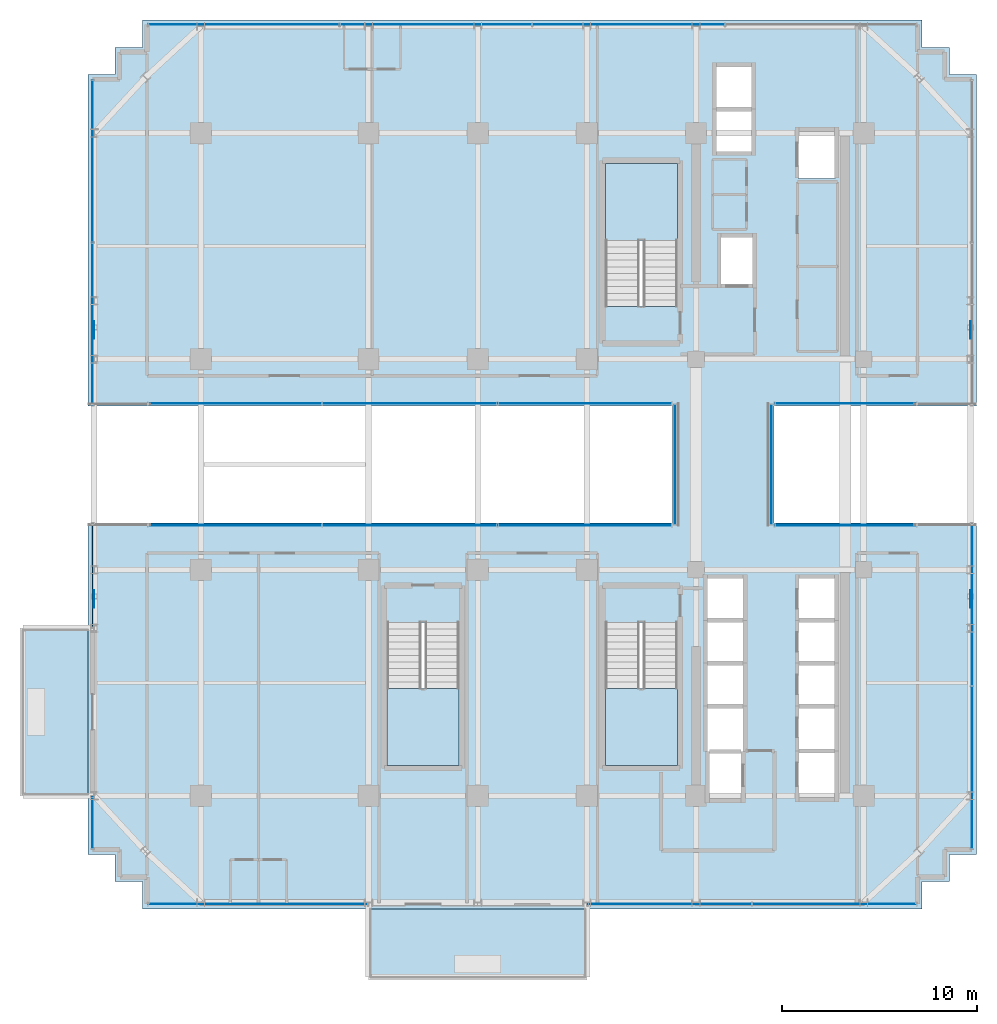
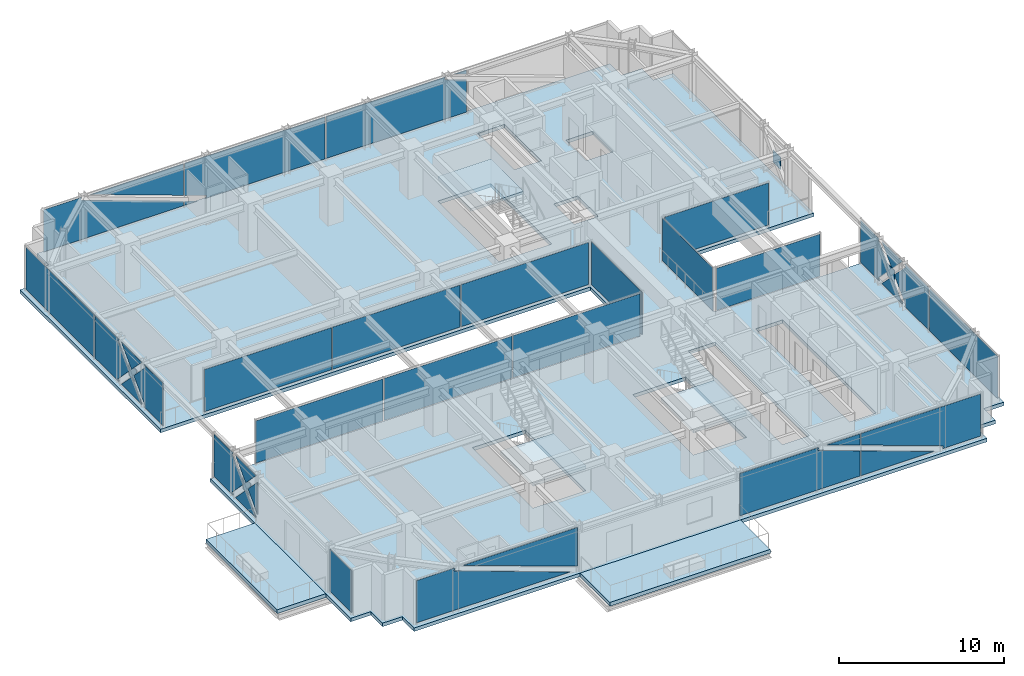
# One storey, part 27 of 35: 26 plates, 6 slabs, 16 elements without a shape of their own.
"""IFC4 building model written with IfcOpenShell, lengths in metres."""

from ifc_helpers import new_model, si_unit, direction, frame, origin, origin_2d, place, context, subcontext, project, spatial, polyline, rectangle, outline, extrude, source, transform, mapped, material, layer, layer_set, type_object, element, aggregate, save


model = new_model("IFC4")

# Units and contexts
model_context = context("Model", 3, precision=1e-05, world=origin(), true_north=direction((0.0, 1.0)))
body_context = subcontext(model_context, "Body", "Model", "MODEL_VIEW")
ifc_project = project(units=[si_unit("LENGTHUNIT", "METRE"), si_unit("AREAUNIT", "SQUARE_METRE"), si_unit("VOLUMEUNIT", "CUBIC_METRE"), si_unit("PLANEANGLEUNIT", "RADIAN"), si_unit("MASSUNIT", "GRAM", prefix="KILO")], contexts=[model_context])

# Site, building, storey
site_placement = place(None, origin())
site = spatial("IfcSite", under=ifc_project, at=site_placement, CompositionType="ELEMENT")
building_placement = place(site_placement, origin())
building = spatial("IfcBuilding", under=site, at=building_placement, Name="Nahalor Promenade Grand Hotel", CompositionType="ELEMENT")
storey_placement = place(building_placement, frame((0.0, 0.0, 185.5)))
storey = spatial("IfcBuildingStorey", under=building, at=storey_placement, Name="L47", CompositionType="ELEMENT", Elevation=185.5)

# Curtain wall, plate
ifc_material_1 = material(Name="Anodised Bronze Aluminium EN AW-6063 T6", Category="aluminium")
curtain_wall_type_1 = type_object("IfcCurtainWallType", Name="CW3 Elliptical-Void Collar Unitised Curtain Wall", PredefinedType="USERDEFINED", material=ifc_material_1)
curtain_wall_1_placement = place(storey_placement, origin())
curtain_wall_1 = element("IfcCurtainWall", 1, at=curtain_wall_1_placement, inside=storey, type_object=curtain_wall_type_1, Name="L47 Curtain Wall CW-L47-S-1", ObjectType="UNITISED_CURTAIN_WALL", PredefinedType="USERDEFINED")
ifc_material_2 = material(Name="Low-E Laminated Solar Glass", Category="glass")
ifc_layer_1 = layer(ifc_material_2, 0.030029296875)
ifc_layer_set_1 = layer_set([ifc_layer_1], Name="Low-E Laminated Solar Glass")
plate_type_1 = type_object("IfcPlateType", Name="CWP3 High-Wind Laminated Bronze IGU 30mm", PredefinedType="CURTAIN_PANEL", material=ifc_layer_set_1)
plate_1_placement = place(storey_placement, frame((-14.080078125, -22.56005859375, 0.14013671875), z_axis=(0.0, 0.0, 1.0), x_axis=(1.0, 0.0, 0.0)))
plate_1 = element("IfcPlate", 2, at=plate_1_placement, type_object=plate_type_1, Name="CW-L47-S-1 Glazing Panel 0-0", PredefinedType="CURTAIN_PANEL", context=body_context, shape_type="SweptSolid", body=[
    extrude(outline(polyline([(-5.610107421875, 3.110107421875), (-5.610107421875, 0.0), (5.116455078125, 0.0), (-3.01123046875, 2.920166015625), (-2.94287109375, 3.110107421875), (-5.610107421875, 3.110107421875)])), frame((0.0, 0.01513671875, 0.0), z_axis=(0.0, -1.0, 0.0), x_axis=(1.0, 0.0, 0.0)), (0.0, 0.0, 1.0), 0.030029296875),
    extrude(outline(polyline([(5.610107421875, 0.24755859375), (5.610107421875, 3.110107421875), (-2.3564453125, 3.110107421875), (5.610107421875, 0.24755859375)])), frame((0.0, 0.01513671875, 0.0), z_axis=(0.0, -1.0, 0.0), x_axis=(1.0, 0.0, 0.0)), (0.0, 0.0, 1.0), 0.030029296875),
])
aggregate(curtain_wall_1, [plate_1])

# Curtain wall, plates
curtain_wall_2_placement = place(storey_placement, origin())
curtain_wall_2 = element("IfcCurtainWall", 3, at=curtain_wall_2_placement, inside=storey, type_object=curtain_wall_type_1, Name="L47 Curtain Wall CW-L47-S-3", ObjectType="UNITISED_CURTAIN_WALL", PredefinedType="USERDEFINED")
plate_2_placement = place(storey_placement, frame((7.0576171875, -22.56005859375, 0.14013671875), z_axis=(0.0, 0.0, 1.0), x_axis=(1.0, 0.0, 0.0)))
plate_2 = element("IfcPlate", 4, at=plate_2_placement, type_object=plate_type_1, Name="CW-L47-S-3 Glazing Panel 0-0", PredefinedType="CURTAIN_PANEL", context=body_context, shape_type="SweptSolid", body=[
    extrude(outline(polyline([(-4.1875, 0.0), (4.1875, 0.0), (4.1875, 1.865234375), (1.25146484375, 2.920166015625), (1.319580078125, 3.110107421875), (-4.1875, 3.110107421875), (-4.1875, 0.0)])), frame((0.0, 0.01513671875, 0.0), z_axis=(0.0, -1.0, 0.0), x_axis=(1.0, 0.0, 0.0)), (0.0, 0.0, 1.0), 0.030029296875),
    extrude(outline(polyline([(4.1875, 2.290283203125), (4.1875, 3.110107421875), (1.90625, 3.110107421875), (4.1875, 2.290283203125)])), frame((0.0, 0.01513671875, 0.0), z_axis=(0.0, -1.0, 0.0), x_axis=(1.0, 0.0, 0.0)), (0.0, 0.0, 1.0), 0.030029296875),
])
plate_3_placement = place(storey_placement, frame((15.50244140625, -22.56005859375, 0.14013671875), z_axis=(0.0, 0.0, 1.0), x_axis=(1.0, 0.0, 0.0)))
plate_3 = element("IfcPlate", 5, at=plate_3_placement, type_object=plate_type_1, Name="CW-L47-S-3 Glazing Panel 1-0", PredefinedType="CURTAIN_PANEL", context=body_context, shape_type="SweptSolid", body=[
    extrude(outline(polyline([(4.1875, 3.110107421875), (-4.1875, 3.110107421875), (-4.1875, 2.26513671875), (1.588623046875, 0.189697265625), (1.5205078125, 0.0), (4.1875, 0.0), (4.1875, 3.110107421875)])), frame((0.0, 0.01513671875, 0.0), z_axis=(0.0, -1.0, 0.0), x_axis=(1.0, 0.0, 0.0)), (0.0, 0.0, 1.0), 0.030029296875),
    extrude(outline(polyline([(-4.1875, 1.840087890625), (-4.1875, 0.0), (0.933837890625, 0.0), (-4.1875, 1.840087890625)])), frame((0.0, 0.01513671875, 0.0), z_axis=(0.0, -1.0, 0.0), x_axis=(1.0, 0.0, 0.0)), (0.0, 0.0, 1.0), 0.030029296875),
])
aggregate(curtain_wall_2, [plate_2, plate_3])

curtain_wall_3_placement = place(storey_placement, origin())
curtain_wall_3 = element("IfcCurtainWall", 6, at=curtain_wall_3_placement, inside=storey, type_object=curtain_wall_type_1, Name="L47 Curtain Wall CW-L47-N-1", ObjectType="UNITISED_CURTAIN_WALL", PredefinedType="USERDEFINED")
plate_4_placement = place(storey_placement, frame((-14.802490234375, 22.56005859375, 0.14013671875), z_axis=(0.0, 0.0, 1.0), x_axis=(1.0, 0.0, 0.0)))
plate_4 = element("IfcPlate", 7, at=plate_4_placement, type_object=plate_type_1, Name="CW-L47-N-1 Glazing Panel 0-0", PredefinedType="CURTAIN_PANEL", context=body_context, shape_type="SweptSolid", body=[
    extrude(outline(polyline([(-4.887451171875, 0.0), (4.887451171875, 0.0), (4.887451171875, 0.341796875), (-2.28857421875, 2.920166015625), (-2.220458984375, 3.110107421875), (-4.887451171875, 3.110107421875), (-4.887451171875, 0.0)])), frame((0.0, 0.01513671875, 0.0), z_axis=(0.0, -1.0, 0.0), x_axis=(1.0, 0.0, 0.0)), (0.0, 0.0, 1.0), 0.030029296875),
    extrude(outline(polyline([(4.887451171875, 0.766845703125), (4.887451171875, 3.110107421875), (-1.6337890625, 3.110107421875), (4.887451171875, 0.766845703125)])), frame((0.0, 0.01513671875, 0.0), z_axis=(0.0, -1.0, 0.0), x_axis=(1.0, 0.0, 0.0)), (0.0, 0.0, 1.0), 0.030029296875),
])
plate_5_placement = place(storey_placement, frame((-4.93994140625, 22.56005859375, 0.14013671875), z_axis=(0.0, 0.0, 1.0), x_axis=(1.0, 0.0, 0.0)))
plate_5 = element("IfcPlate", 8, at=plate_5_placement, type_object=plate_type_1, Name="CW-L47-N-1 Glazing Panel 1-0", PredefinedType="CURTAIN_PANEL", context=body_context, shape_type="SweptSolid", body=[
    extrude(outline(polyline([(4.905029296875, 3.110107421875), (-4.905029296875, 3.110107421875), (-4.905029296875, 0.74169921875), (-3.368896484375, 0.189697265625), (-3.43701171875, 0.0), (4.905029296875, 0.0), (4.905029296875, 3.110107421875)])), frame((0.0, 0.01513671875, 0.0), z_axis=(0.0, -1.0, 0.0), x_axis=(1.0, 0.0, 0.0)), (0.0, 0.0, 1.0), 0.030029296875),
    extrude(outline(polyline([(-4.905029296875, 0.316650390625), (-4.905029296875, 0.0), (-4.023681640625, 0.0), (-4.905029296875, 0.316650390625)])), frame((0.0, 0.01513671875, 0.0), z_axis=(0.0, -1.0, 0.0), x_axis=(1.0, 0.0, 0.0)), (0.0, 0.0, 1.0), 0.030029296875),
])
plate_6_placement = place(storey_placement, frame((4.93994140625, 22.56005859375, 0.14013671875), z_axis=(0.0, 0.0, 1.0), x_axis=(1.0, 0.0, 0.0)))
plate_6 = element("IfcPlate", 9, at=plate_6_placement, type_object=plate_type_1, Name="CW-L47-N-1 Glazing Panel 2-0", PredefinedType="CURTAIN_PANEL", context=body_context, shape_type="SweptSolid", body=[
    extrude(outline(polyline([(-4.905029296875, 0.0), (4.905029296875, 0.0), (4.905029296875, 2.368408203125), (3.368896484375, 2.920166015625), (3.43701171875, 3.110107421875), (-4.905029296875, 3.110107421875), (-4.905029296875, 0.0)])), frame((0.0, 0.01513671875, 0.0), z_axis=(0.0, -1.0, 0.0), x_axis=(1.0, 0.0, 0.0)), (0.0, 0.0, 1.0), 0.030029296875),
    extrude(outline(polyline([(4.905029296875, 2.793212890625), (4.905029296875, 3.110107421875), (4.023681640625, 3.110107421875), (4.905029296875, 2.793212890625)])), frame((0.0, 0.01513671875, 0.0), z_axis=(0.0, -1.0, 0.0), x_axis=(1.0, 0.0, 0.0)), (0.0, 0.0, 1.0), 0.030029296875),
])
aggregate(curtain_wall_3, [plate_4, plate_5, plate_6])

# Curtain wall, plate
curtain_wall_4_placement = place(storey_placement, origin())
curtain_wall_4 = element("IfcCurtainWall", 10, at=curtain_wall_4_placement, inside=storey, type_object=curtain_wall_type_1, Name="L47 Curtain Wall CW-L47-W-3", ObjectType="UNITISED_CURTAIN_WALL", PredefinedType="USERDEFINED")
plate_7_placement = place(storey_placement, frame((-22.56005859375, -5.699462890625, 0.14013671875), z_axis=(0.0, 0.0, 1.0), x_axis=(0.0, 1.0, 0.0)))
plate_7 = element("IfcPlate", 11, at=plate_7_placement, type_object=plate_type_1, Name="CW-L47-W-3 Glazing Panel 0-0", PredefinedType="CURTAIN_PANEL", context=body_context, shape_type="SweptSolid", body=[
    extrude(outline(polyline([(-1.479248046875, 1.554931640625), (-2.630615234375, 2.74072265625), (-2.630615234375, 0.369140625), (-1.479248046875, 1.554931640625)])), frame((0.0, 0.01513671875, 0.0), z_axis=(0.0, -1.0, 0.0), x_axis=(1.0, 0.0, 0.0)), (0.0, 0.0, 1.0), 0.030029296875),
    extrude(outline(polyline([(-1.200439453125, 1.267822265625), (-2.431396484375, 0.0), (0.030517578125, 0.0), (-1.200439453125, 1.267822265625)])), frame((0.0, 0.01513671875, 0.0), z_axis=(0.0, -1.0, 0.0), x_axis=(1.0, 0.0, 0.0)), (0.0, 0.0, 1.0), 0.030029296875),
    extrude(outline(polyline([(-1.200439453125, 1.842041015625), (0.030517578125, 3.110107421875), (-2.431396484375, 3.110107421875), (-1.200439453125, 1.842041015625)])), frame((0.0, 0.01513671875, 0.0), z_axis=(0.0, -1.0, 0.0), x_axis=(1.0, 0.0, 0.0)), (0.0, 0.0, 1.0), 0.030029296875),
    extrude(outline(polyline([(2.630615234375, 0.0), (2.630615234375, 3.110107421875), (0.3251953125, 3.110107421875), (0.46044921875, 2.978515625), (-0.921630859375, 1.554931640625), (0.46044921875, 0.13134765625), (0.3251953125, 0.0), (2.630615234375, 0.0)])), frame((0.0, 0.01513671875, 0.0), z_axis=(0.0, -1.0, 0.0), x_axis=(1.0, 0.0, 0.0)), (0.0, 0.0, 1.0), 0.030029296875),
])
aggregate(curtain_wall_4, [plate_7])

curtain_wall_5_placement = place(storey_placement, origin())
curtain_wall_5 = element("IfcCurtainWall", 12, at=curtain_wall_5_placement, inside=storey, type_object=curtain_wall_type_1, Name="L47 Curtain Wall CW-L47-W-4", ObjectType="UNITISED_CURTAIN_WALL", PredefinedType="USERDEFINED")
plate_8_placement = place(storey_placement, frame((-22.56005859375, 7.206787109375, 0.14013671875), z_axis=(0.0, 0.0, 1.0), x_axis=(0.0, 1.0, 0.0)))
plate_8 = element("IfcPlate", 13, at=plate_8_placement, type_object=plate_type_1, Name="CW-L47-W-4 Glazing Panel 0-0", PredefinedType="CURTAIN_PANEL", context=body_context, shape_type="SweptSolid", body=[
    extrude(outline(polyline([(-4.1376953125, 3.110107421875), (-4.1376953125, 0.0), (-1.832275390625, 0.0), (-1.9677734375, 0.13134765625), (-0.58544921875, 1.554931640625), (-1.9677734375, 2.978515625), (-1.832275390625, 3.110107421875), (-4.1376953125, 3.110107421875)])), frame((0.0, 0.01513671875, 0.0), z_axis=(0.0, -1.0, 0.0), x_axis=(1.0, 0.0, 0.0)), (0.0, 0.0, 1.0), 0.030029296875),
    extrude(outline(polyline([(-0.306640625, 1.267822265625), (-1.53759765625, 0.0), (0.92431640625, 0.0), (-0.306640625, 1.267822265625)])), frame((0.0, 0.01513671875, 0.0), z_axis=(0.0, -1.0, 0.0), x_axis=(1.0, 0.0, 0.0)), (0.0, 0.0, 1.0), 0.030029296875),
    extrude(outline(polyline([(-0.306640625, 1.842041015625), (0.92431640625, 3.110107421875), (-1.53759765625, 3.110107421875), (-0.306640625, 1.842041015625)])), frame((0.0, 0.01513671875, 0.0), z_axis=(0.0, -1.0, 0.0), x_axis=(1.0, 0.0, 0.0)), (0.0, 0.0, 1.0), 0.030029296875),
    extrude(outline(polyline([(4.1376953125, 0.0), (4.1376953125, 3.110107421875), (1.21875, 3.110107421875), (1.354248046875, 2.978515625), (-0.028076171875, 1.554931640625), (1.354248046875, 0.13134765625), (1.21875, 0.0), (4.1376953125, 0.0)])), frame((0.0, 0.01513671875, 0.0), z_axis=(0.0, -1.0, 0.0), x_axis=(1.0, 0.0, 0.0)), (0.0, 0.0, 1.0), 0.030029296875),
])

curtain_wall_6_placement = place(storey_placement, origin())
curtain_wall_6 = element("IfcCurtainWall", 14, at=curtain_wall_6_placement, inside=storey, type_object=curtain_wall_type_1, Name="L47 Curtain Wall CW-L47-E-1", ObjectType="UNITISED_CURTAIN_WALL", PredefinedType="USERDEFINED")
plate_9_placement = place(storey_placement, frame((22.56005859375, -7.206787109375, 0.14013671875), z_axis=(0.0, 0.0, 1.0), x_axis=(0.0, 1.0, 0.0)))
plate_9 = element("IfcPlate", 15, at=plate_9_placement, type_object=plate_type_1, Name="CW-L47-E-1 Glazing Panel 1-0", PredefinedType="CURTAIN_PANEL", context=body_context, shape_type="SweptSolid", body=[
    extrude(outline(polyline([(-4.1376953125, 3.110107421875), (-4.1376953125, 0.0), (-1.21875, 0.0), (-1.354248046875, 0.13134765625), (0.028076171875, 1.554931640625), (-1.354248046875, 2.978515625), (-1.21875, 3.110107421875), (-4.1376953125, 3.110107421875)])), frame((0.0, 0.01513671875, 0.0), z_axis=(0.0, -1.0, 0.0), x_axis=(1.0, 0.0, 0.0)), (0.0, 0.0, 1.0), 0.030029296875),
    extrude(outline(polyline([(0.306640625, 1.267822265625), (-0.92431640625, 0.0), (1.53759765625, 0.0), (0.306640625, 1.267822265625)])), frame((0.0, 0.01513671875, 0.0), z_axis=(0.0, -1.0, 0.0), x_axis=(1.0, 0.0, 0.0)), (0.0, 0.0, 1.0), 0.030029296875),
    extrude(outline(polyline([(0.306640625, 1.842041015625), (1.53759765625, 3.110107421875), (-0.92431640625, 3.110107421875), (0.306640625, 1.842041015625)])), frame((0.0, 0.01513671875, 0.0), z_axis=(0.0, -1.0, 0.0), x_axis=(1.0, 0.0, 0.0)), (0.0, 0.0, 1.0), 0.030029296875),
    extrude(outline(polyline([(4.1376953125, 0.0), (4.1376953125, 3.110107421875), (1.832275390625, 3.110107421875), (1.9677734375, 2.978515625), (0.58544921875, 1.554931640625), (1.9677734375, 0.13134765625), (1.832275390625, 0.0), (4.1376953125, 0.0)])), frame((0.0, 0.01513671875, 0.0), z_axis=(0.0, -1.0, 0.0), x_axis=(1.0, 0.0, 0.0)), (0.0, 0.0, 1.0), 0.030029296875),
])

# Stair, slab
ifc_material_3 = material(Name="Concrete B-50 (C40/50)", Category="concrete")
stair_type_1 = type_object("IfcStairType", Name="Stair-ST1", PredefinedType="HALF_TURN_STAIR", material=ifc_material_3)
stair_1_placement = place(storey_placement, origin())
stair_1 = element("IfcStair", 16, at=stair_1_placement, inside=storey, type_object=stair_type_1, Name="L47 ST1", PredefinedType="HALF_TURN_STAIR")
ifc_layer_2 = layer(ifc_material_3, 0.199951171875)
ifc_layer_set_2 = layer_set([ifc_layer_2], Name="Concrete B-50 (C40/50)")
slab_type_1 = type_object("IfcSlabType", Name="Landing-ST1", PredefinedType="LANDING", material=ifc_layer_set_2)
slab_1_placement = place(storey_placement, frame((0.0, 0.0, 1.625)))
slab_1 = element("IfcSlab", 17, at=slab_1_placement, type_object=slab_type_1, Name="ST1 landing 1", PredefinedType="LANDING", context=body_context, shape_type="SweptSolid", body=[
    extrude(outline(polyline([(7.449951171875, 11.5), (7.449951171875, 15.449951171875), (3.75, 15.449951171875), (3.75, 11.5), (7.449951171875, 11.5)])), origin(), (0.0, 0.0, 1.0), 0.199951171875),
])
aggregate(stair_1, [slab_1])

stair_type_2 = type_object("IfcStairType", Name="Stair-ST2", PredefinedType="HALF_TURN_STAIR", material=ifc_material_3)
stair_2_placement = place(storey_placement, origin())
stair_2 = element("IfcStair", 18, at=stair_2_placement, inside=storey, type_object=stair_type_2, Name="L47 ST2", PredefinedType="HALF_TURN_STAIR")
ifc_layer_3 = layer(ifc_material_3, 0.2099609375)
ifc_layer_set_3 = layer_set([ifc_layer_3], Name="Concrete B-50 (C40/50)")
slab_type_2 = type_object("IfcSlabType", Name="Landing-ST2", PredefinedType="LANDING", material=ifc_layer_set_3)
slab_2_placement = place(storey_placement, frame((0.0, 0.0, 1.614990234375)))
slab_2 = element("IfcSlab", 19, at=slab_2_placement, type_object=slab_type_2, Name="ST2 landing 1", PredefinedType="LANDING", context=body_context, shape_type="SweptSolid", body=[
    extrude(outline(polyline([(3.75, -11.5), (3.75, -15.449951171875), (7.449951171875, -15.449951171875), (7.449951171875, -11.5), (3.75, -11.5)])), origin(), (0.0, 0.0, 1.0), 0.2099609375),
])
aggregate(stair_2, [slab_2])

stair_type_3 = type_object("IfcStairType", Name="Stair-ST3", PredefinedType="HALF_TURN_STAIR", material=ifc_material_3)
stair_3_placement = place(storey_placement, origin())
stair_3 = element("IfcStair", 20, at=stair_3_placement, inside=storey, type_object=stair_type_3, Name="L47 ST3", PredefinedType="HALF_TURN_STAIR")
ifc_layer_4 = layer(ifc_material_3, 0.219970703125)
ifc_layer_set_4 = layer_set([ifc_layer_4], Name="Concrete B-50 (C40/50)")
slab_type_3 = type_object("IfcSlabType", Name="Landing-ST3", PredefinedType="LANDING", material=ifc_layer_set_4)
slab_3_placement = place(storey_placement, frame((0.0, 0.0, 1.60498046875)))
slab_3 = element("IfcSlab", 21, at=slab_3_placement, type_object=slab_type_3, Name="ST3 landing 1", PredefinedType="LANDING", context=body_context, shape_type="SweptSolid", body=[
    extrude(outline(polyline([(-7.449951171875, -11.5), (-7.449951171875, -15.449951171875), (-3.75, -15.449951171875), (-3.75, -11.5), (-7.449951171875, -11.5)])), origin(), (0.0, 0.0, 1.0), 0.219970703125),
])
aggregate(stair_3, [slab_3])

# Slabs
ifc_layer_5 = layer(ifc_material_3, 0.280029296875)
ifc_layer_set_5 = layer_set([ifc_layer_5], Name="Concrete B-50 (C40/50)")
slab_type_4 = type_object("IfcSlabType", Name="Slab-Balcony-280", PredefinedType="FLOOR", material=ifc_layer_set_5)
slab_4_placement = place(storey_placement, frame((0.0, 0.0, -0.280029296875)))
element("IfcSlab", 22, at=slab_4_placement, inside=storey, type_object=slab_type_4, Name="L47 Cantilevered Planted Balcony 1", PredefinedType="FLOOR", context=body_context, shape_type="SweptSolid", body=[
    extrude(outline(polyline([(-8.39990234375, -26.3798828125), (2.800048828125, -26.3798828125), (2.800048828125, -22.800048828125), (-8.39990234375, -22.800048828125), (-8.39990234375, -26.3798828125)])), origin(), (0.0, 0.0, 1.0), 0.280029296875),
])
slab_5_placement = place(storey_placement, frame((0.0, 0.0, -0.280029296875)))
element("IfcSlab", 23, at=slab_5_placement, inside=storey, type_object=slab_type_4, Name="L47 Cantilevered Planted Balcony 2", PredefinedType="FLOOR", context=body_context, shape_type="SweptSolid", body=[
    extrude(outline(polyline([(-26.2099609375, -17.0), (-22.800048828125, -17.0), (-22.800048828125, -8.39990234375), (-26.2099609375, -8.39990234375), (-26.2099609375, -17.0)])), origin(), (0.0, 0.0, 1.0), 0.280029296875),
])
ifc_layer_6 = layer(ifc_material_3, 0.260009765625)
ifc_layer_set_6 = layer_set([ifc_layer_6], Name="Concrete B-50 (C40/50)")
slab_type_5 = type_object("IfcSlabType", Name="Slab-TowerZ3-260", PredefinedType="FLOOR", material=ifc_layer_set_6)
slab_6_placement = place(storey_placement, frame((0.0, 0.0, -0.260009765625)))
element("IfcSlab", 24, at=slab_6_placement, inside=storey, type_object=slab_type_5, Name="L47 Suspended Structural Floor Slab", PredefinedType="FLOOR", context=body_context, shape_type="SweptSolid", body=[
    extrude(outline(polyline([(-20.0, -22.800048828125), (20.0, -22.800048828125), (20.0, -21.39990234375), (21.39990234375, -21.39990234375), (21.39990234375, -20.0), (22.800048828125, -20.0), (22.800048828125, -2.9990234375), (12.39990234375, -2.9990234375), (12.39990234375, 2.9990234375), (22.800048828125, 2.9990234375), (22.800048828125, 20.0), (21.39990234375, 20.0), (21.39990234375, 21.39990234375), (20.0, 21.39990234375), (20.0, 22.800048828125), (-20.0, 22.800048828125), (-20.0, 21.39990234375), (-21.39990234375, 21.39990234375), (-21.39990234375, 20.0), (-22.800048828125, 20.0), (-22.800048828125, 2.9990234375), (7.199951171875, 2.9990234375), (7.199951171875, -2.9990234375), (-22.800048828125, -2.9990234375), (-22.800048828125, -20.0), (-21.39990234375, -20.0), (-21.39990234375, -21.39990234375), (-20.0, -21.39990234375), (-20.0, -22.800048828125)]), holes=[polyline([(3.75, 8.10009765625), (7.449951171875, 8.10009765625), (7.449951171875, 15.449951171875), (3.75, 15.449951171875), (3.75, 8.10009765625)]), polyline([(3.75, -15.449951171875), (7.449951171875, -15.449951171875), (7.449951171875, -8.10009765625), (3.75, -8.10009765625), (3.75, -15.449951171875)]), polyline([(-7.449951171875, -15.449951171875), (-3.75, -15.449951171875), (-3.75, -8.10009765625), (-7.449951171875, -8.10009765625), (-7.449951171875, -15.449951171875)]), polyline([(13.659912109375, -17.139892578125), (15.5400390625, -17.139892578125), (15.5400390625, -5.81005859375), (13.659912109375, -5.81005859375), (13.659912109375, -17.139892578125)]), polyline([(8.9599609375, -17.18994140625), (10.840087890625, -17.18994140625), (10.840087890625, -5.81005859375), (8.9599609375, -5.81005859375), (8.9599609375, -17.18994140625)]), polyline([(9.409912109375, 16.010009765625), (11.2900390625, 16.010009765625), (11.2900390625, 20.43994140625), (9.409912109375, 20.43994140625), (9.409912109375, 16.010009765625)]), polyline([(9.659912109375, 9.2099609375), (11.340087890625, 9.2099609375), (11.340087890625, 11.68994140625), (9.659912109375, 11.68994140625), (9.659912109375, 9.2099609375)]), polyline([(13.659912109375, 14.659912109375), (15.5400390625, 14.659912109375), (15.5400390625, 17.139892578125), (13.659912109375, 17.139892578125), (13.659912109375, 14.659912109375)])]), origin(), (0.0, 0.0, 1.0), 0.260009765625),
])

# Plates
ifc_material_4 = material(Name="Steel S355J2", Category="steel")
ifc_layer_7 = layer(ifc_material_4, 0.035888671875)
ifc_layer_set_7 = layer_set([ifc_layer_7], Name="Steel S355J2")
plate_type_2 = type_object("IfcPlateType", Name="Plate-CrossGusset-36", PredefinedType="USERDEFINED", material=ifc_layer_set_7)
shared_shape_1 = source(origin(), body_context, "Body", "SweptSolid", [
    extrude(rectangle(XDim=0.89990234375, YDim=0.035888671875, at=origin_2d()), origin(), (0.0, 0.0, 1.0), 0.89990234375),
])
for number, where, z_axis, x_axis, name in (
    (25, (-22.47998046875, -6.89990234375, 1.2451171875), (0.0, 0.0, 1.0), (0.0, 1.0, 0.0), "PL-L47-VXX-W0"),
    (26, (-22.47998046875, 6.89990234375, 1.2451171875), (0.0, 0.0, 1.0), (0.0, 1.0, 0.0), "PL-L47-VXX-W1"),
    (27, (22.47998046875, -6.89990234375, 1.2451171875), (0.0, 0.0, 1.0), (0.0, 1.0, 0.0), "PL-L47-VXX-E0"),
    (28, (22.47998046875, 6.89990234375, 1.2451171875), (0.0, 0.0, 1.0), (0.0, 1.0, 0.0), "PL-L47-VXX-E1"),
):
    element("IfcPlate", number, at=place(storey_placement, frame(where, z_axis=z_axis, x_axis=x_axis)), inside=storey, type_object=plate_type_2, Name=name, ObjectType="GUSSET_PLATE", PredefinedType="USERDEFINED", context=body_context, shape_type="MappedRepresentation", body=[
        mapped(shared_shape_1, transform((0.0, 0.0, 0.0), scale=1.0)),
    ])

# Plate
shared_shape_2 = source(origin(), body_context, "Body", "SweptSolid", [
    extrude(rectangle(XDim=8.275390625, YDim=0.030029296875, at=origin_2d()), origin(), (0.0, 0.0, 1.0), 3.110107421875),
])
plate_10_placement = place(storey_placement, frame((-22.56005859375, 15.55224609375, 0.14013671875), z_axis=(0.0, 0.0, 1.0), x_axis=(0.0, 1.0, 0.0)))
plate_10 = element("IfcPlate", 29, at=plate_10_placement, type_object=plate_type_1, Name="CW-L47-W-4 Glazing Panel 1-0", PredefinedType="CURTAIN_PANEL", context=body_context, shape_type="MappedRepresentation", body=[
    mapped(shared_shape_2, transform((0.0, 0.0, 0.0), scale=1.0)),
])

aggregate(curtain_wall_5, [plate_8, plate_10])

plate_11_placement = place(storey_placement, frame((22.56005859375, -15.55224609375, 0.14013671875), z_axis=(0.0, 0.0, 1.0), x_axis=(0.0, 1.0, 0.0)))
plate_11 = element("IfcPlate", 30, at=plate_11_placement, type_object=plate_type_1, Name="CW-L47-E-1 Glazing Panel 0-0", PredefinedType="CURTAIN_PANEL", context=body_context, shape_type="MappedRepresentation", body=[
    mapped(shared_shape_2, transform((0.0, 0.0, 0.0), scale=1.0)),
])

aggregate(curtain_wall_6, [plate_11, plate_9])

# Curtain wall, plate
curtain_wall_7_placement = place(storey_placement, origin())
curtain_wall_7 = element("IfcCurtainWall", 31, at=curtain_wall_7_placement, inside=storey, type_object=curtain_wall_type_1, Name="L47 Curtain Wall CW-L47-W-1", ObjectType="UNITISED_CURTAIN_WALL", PredefinedType="USERDEFINED")
shared_shape_3 = source(origin(), body_context, "Body", "SweptSolid", [
    extrude(rectangle(XDim=2.6201171875, YDim=0.030029296875, at=origin_2d()), origin(), (0.0, 0.0, 1.0), 3.110107421875),
])
plate_12_placement = place(storey_placement, frame((-22.56005859375, -18.3798828125, 0.14013671875), z_axis=(0.0, 0.0, 1.0), x_axis=(0.0, 1.0, 0.0)))
plate_12 = element("IfcPlate", 32, at=plate_12_placement, type_object=plate_type_1, Name="CW-L47-W-1 Glazing Panel 0-0", PredefinedType="CURTAIN_PANEL", context=body_context, shape_type="MappedRepresentation", body=[
    mapped(shared_shape_3, transform((0.0, 0.0, 0.0), scale=1.0)),
])
aggregate(curtain_wall_7, [plate_12])

# Curtain wall, plates
curtain_wall_8_placement = place(storey_placement, origin())
curtain_wall_8 = element("IfcCurtainWall", 33, at=curtain_wall_8_placement, inside=storey, type_object=curtain_wall_type_1, Name="L47 Curtain Wall CW-L47-VOID-WS1", ObjectType="UNITISED_CURTAIN_WALL", PredefinedType="USERDEFINED")
shared_shape_4 = source(origin(), body_context, "Body", "SweptSolid", [
    extrude(rectangle(XDim=8.881591796875, YDim=0.030029296875, at=origin_2d()), origin(), (0.0, 0.0, 1.0), 3.110107421875),
])
plate_13_placement = place(storey_placement, frame((-15.249267578125, -3.118896484375, 0.14013671875), z_axis=(0.0, 0.0, 1.0), x_axis=(1.0, 0.0, 0.0)))
plate_13 = element("IfcPlate", 34, at=plate_13_placement, type_object=plate_type_1, Name="CW-L47-VOID-WS1 Glazing Panel 0-0", PredefinedType="CURTAIN_PANEL", context=body_context, shape_type="MappedRepresentation", body=[
    mapped(shared_shape_4, transform((0.0, 0.0, 0.0), scale=1.0)),
])
plate_14_placement = place(storey_placement, frame((2.689208984375, -3.118896484375, 0.14013671875), z_axis=(0.0, 0.0, 1.0), x_axis=(1.0, 0.0, 0.0)))
plate_14 = element("IfcPlate", 35, at=plate_14_placement, type_object=plate_type_1, Name="CW-L47-VOID-WS1 Glazing Panel 2-0", PredefinedType="CURTAIN_PANEL", context=body_context, shape_type="MappedRepresentation", body=[
    mapped(shared_shape_4, transform((0.0, 0.0, 0.0), scale=1.0)),
])

curtain_wall_9_placement = place(storey_placement, origin())
curtain_wall_9 = element("IfcCurtainWall", 36, at=curtain_wall_9_placement, inside=storey, type_object=curtain_wall_type_1, Name="L47 Curtain Wall CW-L47-VOID-WN1", ObjectType="UNITISED_CURTAIN_WALL", PredefinedType="USERDEFINED")
plate_15_placement = place(storey_placement, frame((-15.249267578125, 3.118896484375, 0.14013671875), z_axis=(0.0, 0.0, 1.0), x_axis=(1.0, 0.0, 0.0)))
plate_15 = element("IfcPlate", 37, at=plate_15_placement, type_object=plate_type_1, Name="CW-L47-VOID-WN1 Glazing Panel 0-0", PredefinedType="CURTAIN_PANEL", context=body_context, shape_type="MappedRepresentation", body=[
    mapped(shared_shape_4, transform((0.0, 0.0, 0.0), scale=1.0)),
])
plate_16_placement = place(storey_placement, frame((2.689208984375, 3.118896484375, 0.14013671875), z_axis=(0.0, 0.0, 1.0), x_axis=(1.0, 0.0, 0.0)))
plate_16 = element("IfcPlate", 38, at=plate_16_placement, type_object=plate_type_1, Name="CW-L47-VOID-WN1 Glazing Panel 2-0", PredefinedType="CURTAIN_PANEL", context=body_context, shape_type="MappedRepresentation", body=[
    mapped(shared_shape_4, transform((0.0, 0.0, 0.0), scale=1.0)),
])

# Plate
shared_shape_5 = source(origin(), body_context, "Body", "SweptSolid", [
    extrude(rectangle(XDim=8.916748046875, YDim=0.030029296875, at=origin_2d()), origin(), (0.0, 0.0, 1.0), 3.110107421875),
])
plate_17_placement = place(storey_placement, frame((-6.280029296875, -3.118896484375, 0.14013671875), z_axis=(0.0, 0.0, 1.0), x_axis=(1.0, 0.0, 0.0)))
plate_17 = element("IfcPlate", 39, at=plate_17_placement, type_object=plate_type_1, Name="CW-L47-VOID-WS1 Glazing Panel 1-0", PredefinedType="CURTAIN_PANEL", context=body_context, shape_type="MappedRepresentation", body=[
    mapped(shared_shape_5, transform((0.0, 0.0, 0.0), scale=1.0)),
])

aggregate(curtain_wall_8, [plate_13, plate_17, plate_14])

plate_18_placement = place(storey_placement, frame((-6.280029296875, 3.118896484375, 0.14013671875), z_axis=(0.0, 0.0, 1.0), x_axis=(1.0, 0.0, 0.0)))
plate_18 = element("IfcPlate", 40, at=plate_18_placement, type_object=plate_type_1, Name="CW-L47-VOID-WN1 Glazing Panel 1-0", PredefinedType="CURTAIN_PANEL", context=body_context, shape_type="MappedRepresentation", body=[
    mapped(shared_shape_5, transform((0.0, 0.0, 0.0), scale=1.0)),
])

aggregate(curtain_wall_9, [plate_15, plate_18, plate_16])

# Curtain wall, plate
curtain_wall_10_placement = place(storey_placement, origin())
curtain_wall_10 = element("IfcCurtainWall", 41, at=curtain_wall_10_placement, inside=storey, type_object=curtain_wall_type_1, Name="L47 Curtain Wall CW-L47-VOID-ES1", ObjectType="UNITISED_CURTAIN_WALL", PredefinedType="USERDEFINED")
shared_shape_6 = source(origin(), body_context, "Body", "SweptSolid", [
    extrude(rectangle(XDim=7.219970703125, YDim=0.030029296875, at=origin_2d()), origin(), (0.0, 0.0, 1.0), 3.110107421875),
])
plate_19_placement = place(storey_placement, frame((16.080078125, -3.118896484375, 0.14013671875), z_axis=(0.0, 0.0, 1.0), x_axis=(1.0, 0.0, 0.0)))
plate_19 = element("IfcPlate", 42, at=plate_19_placement, type_object=plate_type_1, Name="CW-L47-VOID-ES1 Glazing Panel 0-0", PredefinedType="CURTAIN_PANEL", context=body_context, shape_type="MappedRepresentation", body=[
    mapped(shared_shape_6, transform((0.0, 0.0, 0.0), scale=1.0)),
])
aggregate(curtain_wall_10, [plate_19])

curtain_wall_11_placement = place(storey_placement, origin())
curtain_wall_11 = element("IfcCurtainWall", 43, at=curtain_wall_11_placement, inside=storey, type_object=curtain_wall_type_1, Name="L47 Curtain Wall CW-L47-VOID-EN1", ObjectType="UNITISED_CURTAIN_WALL", PredefinedType="USERDEFINED")
plate_20_placement = place(storey_placement, frame((16.080078125, 3.118896484375, 0.14013671875), z_axis=(0.0, 0.0, 1.0), x_axis=(1.0, 0.0, 0.0)))
plate_20 = element("IfcPlate", 44, at=plate_20_placement, type_object=plate_type_1, Name="CW-L47-VOID-EN1 Glazing Panel 0-0", PredefinedType="CURTAIN_PANEL", context=body_context, shape_type="MappedRepresentation", body=[
    mapped(shared_shape_6, transform((0.0, 0.0, 0.0), scale=1.0)),
])
aggregate(curtain_wall_11, [plate_20])

curtain_wall_type_2 = type_object("IfcCurtainWallType", Name="CW4 Low-Iron Sky-Gallery Bridge Curtain Wall", PredefinedType="USERDEFINED", material=ifc_material_1)
curtain_wall_12_placement = place(storey_placement, origin())
curtain_wall_12 = element("IfcCurtainWall", 45, at=curtain_wall_12_placement, inside=storey, type_object=curtain_wall_type_2, Name="L47 Curtain Wall CW-L47-BRG-W", ObjectType="UNITISED_CURTAIN_WALL", PredefinedType="USERDEFINED")
ifc_layer_8 = layer(ifc_material_2, 0.02587890625)
ifc_layer_set_8 = layer_set([ifc_layer_8], Name="Low-E Laminated Solar Glass")
plate_type_3 = type_object("IfcPlateType", Name="CWP4 Ultra-Clear Low-Iron Bridge IGU 26mm", PredefinedType="CURTAIN_PANEL", material=ifc_layer_set_8)
shared_shape_7 = source(origin(), body_context, "Body", "SweptSolid", [
    extrude(rectangle(XDim=6.117919921875, YDim=0.02587890625, at=origin_2d()), origin(), (0.0, 0.0, 1.0), 3.14990234375),
])
plate_21_placement = place(storey_placement, frame((7.320068359375, 0.0, 0.1201171875), z_axis=(0.0, 0.0, 1.0), x_axis=(0.0, 1.0, 0.0)))
plate_21 = element("IfcPlate", 46, at=plate_21_placement, type_object=plate_type_3, Name="CW-L47-BRG-W Glazing Panel 0-0", PredefinedType="CURTAIN_PANEL", context=body_context, shape_type="MappedRepresentation", body=[
    mapped(shared_shape_7, transform((0.0, 0.0, 0.0), scale=1.0)),
])
aggregate(curtain_wall_12, [plate_21])

curtain_wall_13_placement = place(storey_placement, origin())
curtain_wall_13 = element("IfcCurtainWall", 47, at=curtain_wall_13_placement, inside=storey, type_object=curtain_wall_type_2, Name="L47 Curtain Wall CW-L47-BRG-E", ObjectType="UNITISED_CURTAIN_WALL", PredefinedType="USERDEFINED")
plate_22_placement = place(storey_placement, frame((12.280029296875, 0.0, 0.1201171875), z_axis=(0.0, 0.0, 1.0), x_axis=(0.0, 1.0, 0.0)))
plate_22 = element("IfcPlate", 48, at=plate_22_placement, type_object=plate_type_3, Name="CW-L47-BRG-E Glazing Panel 0-0", PredefinedType="CURTAIN_PANEL", context=body_context, shape_type="MappedRepresentation", body=[
    mapped(shared_shape_7, transform((0.0, 0.0, 0.0), scale=1.0)),
])
aggregate(curtain_wall_13, [plate_22])

save(model, "model.ifc")
